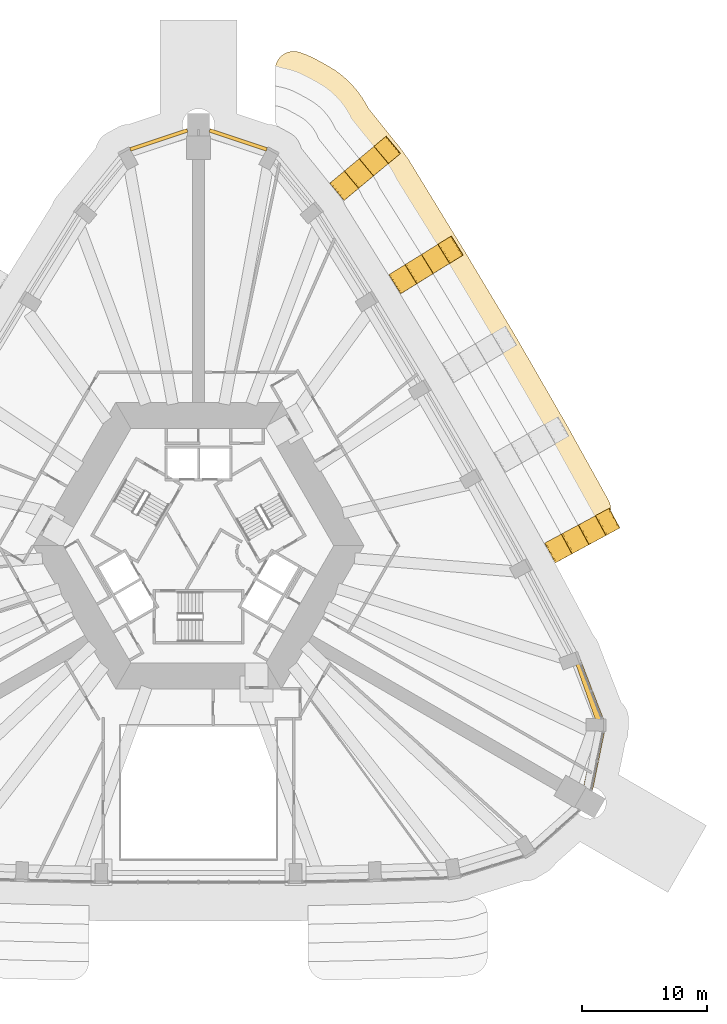
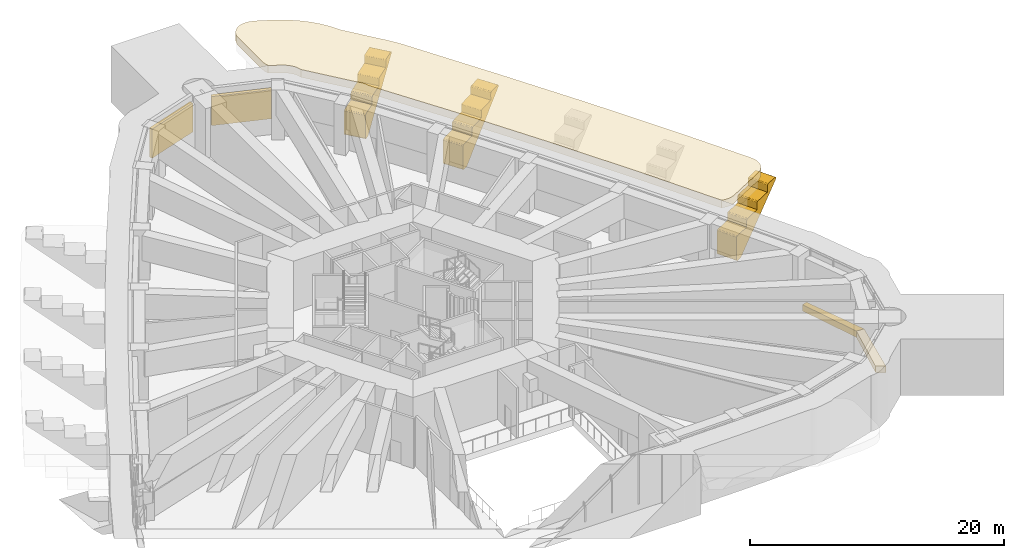
# One storey, part 21 of 21: 6 coverings, 2 shading devices.
"""IFC4 building model written with IfcOpenShell, lengths in metres."""

from ifc_helpers import new_model, si_unit, direction, frame, origin, origin_2d, place, context, subcontext, project, spatial, polyline, rectangle, outline, extrude, material, layer, layer_set, type_object, element, save


model = new_model("IFC4")

# Units and contexts
model_context = context("Model", 3, precision=1e-05, world=origin(), true_north=direction((0.0, 1.0)))
body_context = subcontext(model_context, "Body", "Model", "MODEL_VIEW")
ifc_project = project(units=[si_unit("LENGTHUNIT", "METRE"), si_unit("AREAUNIT", "SQUARE_METRE"), si_unit("VOLUMEUNIT", "CUBIC_METRE"), si_unit("PLANEANGLEUNIT", "RADIAN"), si_unit("MASSUNIT", "GRAM", prefix="KILO")], contexts=[model_context])

# Site, building, storey
site_placement = place(None, origin())
site = spatial("IfcSite", under=ifc_project, at=site_placement, CompositionType="ELEMENT")
building_placement = place(site_placement, origin())
building = spatial("IfcBuilding", under=site, at=building_placement, Name="Entoto Arch Interchange Tower", CompositionType="ELEMENT")
storey_placement = place(building_placement, frame((0.0, 0.0, 236.0)))
storey = spatial("IfcBuildingStorey", under=building, at=storey_placement, Name="L53", CompositionType="ELEMENT", Elevation=236.0)

# Shading devices
ifc_material_1 = material(Name="Aluminium, anodised", Category="aluminium")
ifc_layer = layer(ifc_material_1, 0.300048828125)
ifc_layer_set = layer_set([ifc_layer], Name="Aluminium, anodised")
shading_device_type = type_object("IfcShadingDeviceType", Name="PLANT LOUVRE ALUMINIUM", PredefinedType="JALOUSIE", material=ifc_layer_set)
for number, where, z_axis, x_axis, name in (
    (1, (3.18994140625, 35.06103515625, 1.2001953125), (0.0, 0.0, 1.0), (-0.948578098054, 0.316543191197, 0.0), "Plant louvre N-02 L53"),
    (2, (-3.18994140625, 35.06103515625, 1.2001953125), (0.0, 0.0, 1.0), (-0.948578098054, -0.316543191197, 0.0), "Plant louvre N-03 L53"),
):
    element("IfcShadingDevice", number, at=place(storey_placement, frame(where, z_axis=z_axis, x_axis=x_axis)), inside=storey, type_object=shading_device_type, Name=name, PredefinedType="JALOUSIE", context=body_context, shape_type="SweptSolid", body=[
        extrude(rectangle(XDim=4.830078125, YDim=0.300048828125, at=origin_2d()), origin(), (0.0, 0.0, 1.0), 2.800048828125),
    ])

# Coverings
ifc_material_2 = material(Name="Board-marked precast concrete C50/60", Category="concrete")
covering_type_1 = type_object("IfcCoveringType", Name="PRECAST FRAME COURSE", PredefinedType="CLADDING", material=ifc_material_2)
covering_1_placement = place(storey_placement, frame((0.0, 0.0, 4.050048828125)))
element("IfcCovering", 3, at=covering_1_placement, inside=storey, type_object=covering_type_1, Name="Cantilever cornice ne-L53 1", PredefinedType="CLADDING", context=body_context, shape_type="SweptSolid", body=[
    extrude(outline(polyline([(6.256103515625, 36.256103515625), (6.2080078125, 36.39306640625), (6.174072265625, 36.532958984375), (6.153076171875, 36.677001953125), (6.14599609375, 36.821044921875), (6.14599609375, 37.256103515625), (6.14599609375, 40.669921875), (6.153076171875, 40.81298828125), (6.174072265625, 40.9560546875), (6.2080078125, 41.095947265625), (6.2548828125, 41.23193359375), (6.31591796875, 41.363037109375), (6.388916015625, 41.487060546875), (6.472900390625, 41.60400390625), (6.568115234375, 41.712890625), (6.673095703125, 41.81103515625), (6.787109375, 41.89892578125), (6.908935546875, 41.97607421875), (7.0380859375, 42.041015625), (7.172119140625, 42.093017578125), (7.31103515625, 42.132080078125), (7.452880859375, 42.156982421875), (7.596923828125, 42.1689453125), (7.740966796875, 42.1669921875), (7.884033203125, 42.15087890625), (8.02490234375, 42.12109375), (8.1630859375, 42.077880859375), (8.64794921875, 41.89990234375), (8.782958984375, 41.842041015625), (8.89404296875, 41.7890625), (9.39111328125, 41.549072265625), (9.4560546875, 41.514892578125), (10.27001953125, 41.072021484375), (10.3330078125, 41.034912109375), (10.908935546875, 40.68408203125), (11.031005859375, 40.60107421875), (11.14306640625, 40.51611328125), (11.5400390625, 40.217041015625), (11.653076171875, 40.123046875), (12.1220703125, 39.69091796875), (12.22509765625, 39.5859375), (12.64990234375, 39.110107421875), (12.741943359375, 38.9951171875), (13.117919921875, 38.47998046875), (13.198974609375, 38.35693359375), (13.52197265625, 37.80810546875), (13.591064453125, 37.677001953125), (13.60205078125, 37.652099609375), (13.62109375, 37.611083984375), (13.64990234375, 37.574951171875), (13.8740234375, 37.294921875), (15.89208984375, 34.781005859375), (15.89599609375, 34.777099609375), (15.89990234375, 34.77197265625), (16.138916015625, 34.48388671875), (16.205078125, 34.39794921875), (16.81298828125, 33.548095703125), (16.8720703125, 33.4580078125), (19.384033203125, 29.346923828125), (20.702880859375, 27.18701171875), (20.714111328125, 27.1689453125), (20.72509765625, 27.153076171875), (20.736083984375, 27.135986328125), (20.736083984375, 27.135986328125), (20.75390625, 27.10693359375), (21.258056640625, 26.2919921875), (21.262939453125, 26.283935546875), (21.300048828125, 26.222900390625), (21.31494140625, 26.197998046875), (21.321044921875, 26.18896484375), (25.027099609375, 19.9970703125), (25.035888671875, 19.98291015625), (25.0439453125, 19.968994140625), (25.056884765625, 19.949951171875), (25.095947265625, 19.887939453125), (25.583984375, 19.06201171875), (25.587890625, 19.054931640625), (25.610107421875, 19.01708984375), (25.6259765625, 18.989013671875), (25.6298828125, 18.98193359375), (29.22900390625, 12.739013671875), (29.236083984375, 12.72607421875), (29.243896484375, 12.712890625), (29.2548828125, 12.697021484375), (29.278076171875, 12.659912109375), (29.31591796875, 12.596923828125), (29.7880859375, 11.760009765625), (29.7900390625, 11.756103515625), (29.81591796875, 11.708984375), (29.819091796875, 11.705078125), (32.89599609375, 6.156005859375), (32.9619140625, 6.02294921875), (33.013916015625, 5.884033203125), (33.052001953125, 5.740966796875), (33.074951171875, 5.593994140625), (33.083984375, 5.446044921875), (33.0791015625, 5.298095703125), (33.05908203125, 5.15087890625), (33.02392578125, 5.007080078125), (32.97509765625, 4.866943359375), (32.9130859375, 4.73193359375), (32.837890625, 4.60400390625), (32.75, 4.485107421875), (32.65087890625, 4.3740234375), (32.5419921875, 4.27392578125), (32.423095703125, 4.18505859375), (32.2958984375, 4.10791015625), (30.25390625, 3.009033203125), (29.156005859375, 2.4169921875), (29.031005859375, 2.35693359375), (28.89990234375, 2.30908203125), (28.76611328125, 2.27294921875), (28.62890625, 2.2490234375), (28.489990234375, 2.239013671875), (28.35107421875, 2.240966796875), (28.212890625, 2.256103515625), (28.076904296875, 2.283935546875), (27.944091796875, 2.323974609375), (27.93994140625, 2.325927734375), (27.9541015625, 2.2958984375), (27.93701171875, 2.3291015625), (27.847900390625, 2.47607421875), (24.39599609375, 8.699951171875), (24.388916015625, 8.7109375), (23.89794921875, 9.58203125), (23.8330078125, 9.68505859375), (20.257080078125, 15.888916015625), (20.2470703125, 15.906005859375), (19.739013671875, 16.76708984375), (19.696044921875, 16.83203125), (15.998046875, 23.009033203125), (15.985107421875, 23.030029296875), (15.4599609375, 23.881103515625), (15.43408203125, 23.9189453125), (11.743896484375, 29.839111328125), (11.737060546875, 29.864990234375), (11.676025390625, 30.031005859375), (11.60009765625, 30.19091796875), (11.508056640625, 30.342041015625), (11.402099609375, 30.48291015625), (11.092041015625, 30.85693359375), (8.23193359375, 34.410888671875), (8.200927734375, 34.5380859375), (8.14306640625, 34.705078125), (8.068115234375, 34.864990234375), (7.97900390625, 35.01806640625), (7.875, 35.159912109375), (7.757080078125, 35.2919921875), (7.626953125, 35.412109375), (7.486083984375, 35.51806640625), (7.3349609375, 35.610107421875), (6.45703125, 36.089111328125), (6.298095703125, 36.166015625), (6.263916015625, 36.177978515625), (6.294921875, 36.16796875), (6.280029296875, 36.205078125), (6.256103515625, 36.256103515625)])), origin(), (0.0, 0.0, 1.0), 0.75),
])
covering_2_placement = place(storey_placement, frame((29.218994140625, 1.428955078125, -0.56494140625), z_axis=(0.474210663012, -0.880406717571, 0.002873802724), x_axis=(-0.755269997699, -0.408481731804, -0.512552344018)))
element("IfcCovering", 4, at=covering_2_placement, inside=storey, type_object=covering_type_1, Name="Fold rib NE02 L53", PredefinedType="CLADDING", context=body_context, shape_type="SweptSolid", body=[
    extrude(outline(polyline([(0.0, 0.0), (0.04477297318636039, 0.0), (0.08737222800618479, -0.012351745725427531), (0.478801328542253, -0.24600317902395374), (0.5106135784309912, -0.2766516872714845), (0.5309984966832386, -0.3158302414455066), (0.5395196837008795, -0.359301512204731), (0.5355121524381733, -0.40240479084734987), (0.5180568372062784, -0.4431637887456009), (-0.5580098389556365, -2.2463547382737095), (-0.5751738386563493, -2.269946770455664), (-0.5973446440583918, -2.289409578793334), (-0.6220375981395493, -2.3048067312852427), (-0.6649689643290149, -2.317851581443145), (-0.7085057342317288, -2.318587457942245), (-0.7372273425233606, -2.3108277720927584), (-0.7641433524342118, -2.2981723515156345), (-1.939930208335351, -1.596311414929177), (-2.2560424373799335, -2.1238442073411186), (-2.2863826785229944, -2.1546377630585494), (-2.31157426753067, -2.169740863682894), (-2.3393218545928196, -2.1801897786622972), (-2.3836226743337696, -2.183883059399636), (-2.4266642849291777, -2.1758207148639217), (-2.4531813868988146, -2.1634005357808497), (-3.6548812694419586, -1.446074547143003), (-3.9708937715012373, -1.9736661499284573), (-4.00207130798673, -2.0039590706408386), (-4.027163170009103, -2.019120981638696), (-4.0549107570712515, -2.0295698966180993), (-4.098573735440378, -2.033646191613461), (-4.1419540064517, -2.0253772639402623), (-4.168132448005423, -2.013163667994675), (-5.370569898905695, -1.295395854725292), (-5.686582400964975, -1.8229874575107465), (-5.717022369093339, -1.8537222028546645), (-5.7421142311157105, -1.868884113852522), (-5.770599386534988, -1.878891204200389), (-5.814262364904113, -1.8829674991957508), (-5.856905067558308, -1.8751403961540882), (-5.883821077469159, -1.8624849755769648), (-6.732385630349409, -1.355954957517925), (-6.755899495928317, -1.338503619221449), (-6.775524908803014, -1.3174088805401492), (-6.796034961904876, -1.278439958000019), (-6.803846385656789, -1.250458599885956), (-6.804758835750679, -1.220629798269782), (-6.8005486176598104, -1.1918654085981761), (-6.792064362995237, -1.1642318318978453), (-6.776672776492754, -1.1384471409291486), (-6.757113584103312, -1.1174236172028182), (-6.73379413527917, -1.1000690474182186), (-6.707103906164864, -1.0867137324526728), (-6.679007396034982, -1.0790351514413694), (0.0, 0.0)])), origin(), (0.0, 0.0, -1.0), 1.800048828125),
])
covering_3_placement = place(storey_placement, frame((16.79296875, 23.05908203125, -0.56494140625), z_axis=(0.525404174924, -0.85084746869, 0.003006326015), x_axis=(-0.730364886945, -0.452812289906, -0.511398242104)))
element("IfcCovering", 5, at=covering_3_placement, inside=storey, type_object=covering_type_1, Name="Fold rib NE05 L53", PredefinedType="CLADDING", context=body_context, shape_type="SweptSolid", body=[
    extrude(outline(polyline([(0.0, 0.0), (0.04487336481145526, 3.469446951953614e-18), (0.08811167955844212, -0.012662697039637346), (0.47896411550238577, -0.24526146025574752), (0.5105592029036953, -0.2757089560646142), (0.5305693380386317, -0.3146094892852664), (0.540089819325954, -0.35862879713115076), (0.5362361334863324, -0.40179087687902465), (0.5188337229702077, -0.44257335559370165), (-0.5548278827684605, -2.247202017938675), (-0.5722673404377426, -2.270629145067452), (-0.5941180332237371, -2.290299439991308), (-0.6192956820349316, -2.3054297759989857), (-0.6616492411751906, -2.318864000139163), (-0.7058093590267382, -2.3192902532652906), (-0.733883716038866, -2.31195532116077), (-0.7608660423346365, -2.2993093501520154), (-1.9373390487497977, -1.5991809865604374), (-2.2527283725241984, -2.127145324878308), (-2.2835643846595906, -2.157661433617427), (-2.3090736830971803, -2.1725965828161526), (-2.336793646540741, -2.18308705083484), (-2.3804049962680502, -2.187250216077804), (-2.4237722669765804, -2.179057065708286), (-2.4503123937704894, -2.166671343778135), (-3.65331438603031, -1.4507579757382756), (-3.9688142596801756, -1.9786572517864953), (-3.9995397219401023, -2.0092384227952658), (-4.024004123791389, -2.0247950119290703), (-4.052166286736812, -2.035025230869155), (-4.095513748702236, -2.0393420819091896), (-4.139415954630697, -2.030829241695077), (-4.165752795831072, -2.0185680228005687), (-5.369136385424403, -1.302423588443535), (-5.683812462238896, -1.830814179887533), (-5.714537924498822, -1.8613953508963026), (-5.739715573310017, -1.8765256869039804), (-5.767699424515462, -1.8868624691255964), (-5.811489085982748, -1.8909190710870285), (-5.854856356691277, -1.8827259207175109), (-5.881396483485187, -1.8703401987873596), (-6.730598913069432, -1.3649723709021977), (-6.753429318828603, -1.3479777150892809), (-6.7735272598968335, -1.3266423329132326), (-6.788924041997549, -1.3010030940492632), (-6.802146857560777, -1.2596092472216696), (-6.8032772164653155, -1.2296721777478465), (-6.799617905181364, -1.2005985860063437), (-6.790152633544594, -1.1735596353889508), (-6.77479570391109, -1.1477543019683734), (-6.755544765664077, -1.1265393770838736), (-6.7324496448886615, -1.1090308347843947), (-6.706312797135075, -1.0953229626390915), (-6.677583930286014, -1.0879871308766682), (0.0, 0.0)])), origin(), (0.0, 0.0, -1.0), 1.800048828125),
])
covering_4_placement = place(storey_placement, frame((12.1708984375, 30.60107421875, -0.56494140625), z_axis=(0.638600111432, -0.769532715095, 0.003049274925), x_axis=(-0.662144965205, -0.551494344522, -0.507363807356)))
element("IfcCovering", 6, at=covering_4_placement, inside=storey, type_object=covering_type_1, Name="Fold rib NE06 L53", PredefinedType="CLADDING", context=body_context, shape_type="SweptSolid", body=[
    extrude(outline(polyline([(0.0, 0.0), (0.045233838167031366, 3.469446951953614e-18), (0.08772769273334075, -0.011988858776675416), (0.4494363302457347, -0.2249541085758783), (0.47188627306474185, -0.24411946406213697), (0.48900950309872065, -0.26808512063118267), (0.5063288345232868, -0.3085943477942366), (0.5106232669180208, -0.3516385942032231), (0.5027594477176387, -0.39573818252945697), (0.4900126188576767, -0.4219497126580557), (-0.5754833954279659, -2.2314087778113727), (-0.5920555219355488, -2.255364004673723), (-0.613707821884053, -2.2751994780658995), (-0.6390941445796656, -2.290283575616069), (-0.6816380077149989, -2.3037653420838256), (-0.7257136655553157, -2.304445581763427), (-0.7536672920555496, -2.297338240754483), (-0.7807168665051809, -2.284811191241728), (-1.9606068977983377, -1.5901187609417702), (-2.2731958382204613, -2.119747622913153), (-2.304252425189303, -2.150190295288892), (-2.3289921219423326, -2.165657317356729), (-2.3565714792658268, -2.176335123177019), (-2.4009483598721015, -2.180237313946606), (-2.4435652694182166, -2.1727119824951426), (-2.4707494860418033, -2.1601063237241176), (-3.6770375417356522, -1.4498734769514003), (-3.990138465926403, -1.9791980236633857), (-4.020386770467017, -2.010119351686209), (-4.0451264672200455, -2.025586373754046), (-4.073514106971769, -2.035785523927252), (-4.116678778627948, -2.0404021981187337), (-4.160346240638512, -2.032258114374792), (-4.186883831319517, -2.020035380121435), (-5.393171887013366, -1.309802533348718), (-5.706272811204117, -1.839127080060703), (-5.736817414404332, -1.869874067695839), (-5.762203737099943, -1.8849581652460086), (-5.789783094423438, -1.8956359710662989), (-5.832974780391307, -1.900235523386634), (-5.876642242401872, -1.8920914396426927), (-5.903287890329636, -1.8798002179047484), (-6.752742729238666, -1.3796645654699708), (-6.787465485648589, -1.3521369214981456), (-6.804076731913941, -1.3284755801884973), (-6.817386251494449, -1.3022240903022184), (-6.8245119423904175, -1.2736637752456663), (-6.826337121675824, -1.2445391820987894), (-6.8224628996421455, -1.215654000302461), (-6.81275967092877, -1.1876547007810152), (-6.798019365002174, -1.162619187850249), (-6.778241981862359, -1.1405474615101632), (-6.75567350057762, -1.1226698461067306), (-6.7291607776345845, -1.1102344429856155), (-6.701376396552003, -1.1022260501287713), (0.0, 0.0)])), origin(), (0.0, 0.0, -1.0), 1.800048828125),
])
covering_type_2 = type_object("IfcCoveringType", Name="PRECAST LEDGE COURSE", PredefinedType="CLADDING", material=ifc_material_2)
covering_5_placement = place(storey_placement, frame((0.0, 0.0, -1.199951171875)))
element("IfcCovering", 7, at=covering_5_placement, inside=storey, type_object=covering_type_2, Name="Precast course SE-03 L53", PredefinedType="CLADDING", context=body_context, shape_type="SweptSolid", body=[
    extrude(outline(polyline([(32.00390625, -11.889892578125), (32.695068359375, -11.906982421875), (31.612060546875, -17.2119140625), (30.905029296875, -16.803955078125), (32.00390625, -11.889892578125)])), origin(), (0.0, 0.0, 1.0), 0.599853515625),
])
covering_6_placement = place(storey_placement, frame((0.0, 0.0, -1.199951171875)))
element("IfcCovering", 8, at=covering_6_placement, inside=storey, type_object=covering_type_2, Name="Precast course SE-04 L53", PredefinedType="CLADDING", context=body_context, shape_type="SweptSolid", body=[
    extrude(outline(polyline([(30.14306640625, -6.6240234375), (30.5859375, -6.4599609375), (32.695068359375, -11.906982421875), (32.00390625, -11.889892578125), (30.14306640625, -6.6240234375)])), origin(), (0.0, 0.0, 1.0), 0.599853515625),
])

save(model, "model.ifc")
